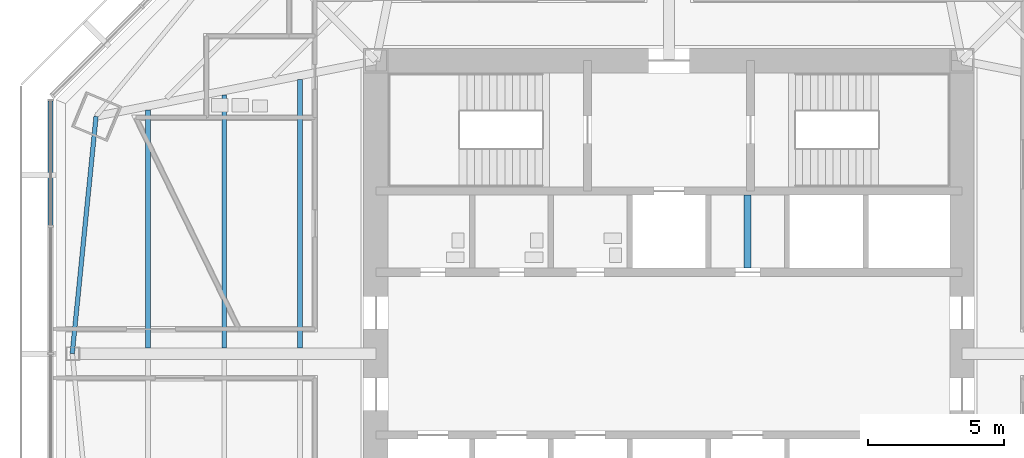
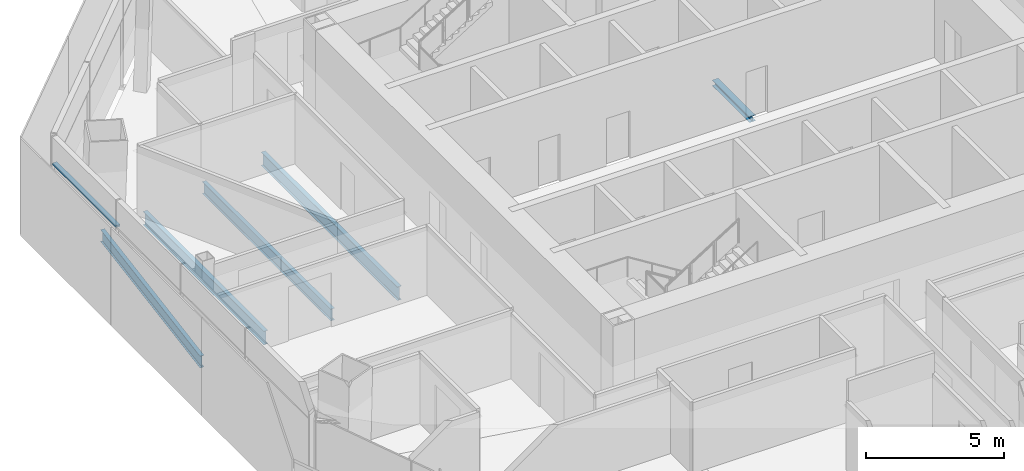
# One storey, part 3 of 15: 5 beams, 1 member, 1 element without a shape of its own.
"""IFC4 building model written with IfcOpenShell, lengths in metres."""

from ifc_helpers import new_model, si_unit, direction, frame, origin, origin_2d, place, context, subcontext, project, spatial, rectangle, i_section, extrude, source, transform, mapped, material, material_profile, profile_set, type_object, type_shapes, element, aggregate, save


model = new_model("IFC4")

# Units and contexts
model_context = context("Model", 3, precision=1e-05, world=origin(), true_north=direction((0.0, 1.0)))
body_context = subcontext(model_context, "Body", "Model", "MODEL_VIEW")
ifc_project = project(units=[si_unit("LENGTHUNIT", "METRE"), si_unit("AREAUNIT", "SQUARE_METRE"), si_unit("VOLUMEUNIT", "CUBIC_METRE"), si_unit("PLANEANGLEUNIT", "RADIAN"), si_unit("MASSUNIT", "GRAM", prefix="KILO")], contexts=[model_context])

# Site, building, storey
site_placement = place(None, origin())
site = spatial("IfcSite", under=ifc_project, at=site_placement, CompositionType="ELEMENT")
building_placement = place(site_placement, origin())
building = spatial("IfcBuilding", under=site, at=building_placement, Name="Mashrafa Tower", CompositionType="ELEMENT")
storey_placement = place(building_placement, frame((0.0, 0.0, 184.800048828125)))
storey = spatial("IfcBuildingStorey", under=building, at=storey_placement, Name="L42", CompositionType="ELEMENT", Elevation=184.800048828125)

# Beams
ifc_material_1 = material(Name="Steel ASTM A992", Category="steel")
ifc_material_profile_1 = material_profile(ifc_material_1, i_section(OverallWidth=0.1650390625, OverallDepth=0.52587890625, WebThickness=0.0087890625, FlangeThickness=0.011474609375, FilletRadius=0.0126953125, at=origin_2d()), Name="W21X44")
ifc_profile_set_1 = profile_set([ifc_material_profile_1], Name="Steel ASTM A992")
beam_type_1 = type_object("IfcBeamType", Name="Beam W21X44", PredefinedType="BEAM", material=ifc_profile_set_1)
beam_1_placement = place(storey_placement, frame((-16.39599609375, 0.20947265625, -0.427978515625), z_axis=(0.0, 1.0, 0.0), x_axis=(-1.0, 0.0, 0.0)))
element("IfcBeam", 1, at=beam_1_placement, inside=storey, type_object=beam_type_1, Name="Floor beam L42 005", PredefinedType="BEAM", context=body_context, shape_type="SweptSolid", body=[
    extrude(i_section(OverallWidth=0.1650390625, OverallDepth=0.52587890625, WebThickness=0.0087890625, FlangeThickness=0.011474609375, FilletRadius=0.0126953125, at=origin_2d()), origin(), (0.0, 0.0, 1.0), 9.326904296875),
])
beam_2_placement = place(storey_placement, frame((-21.11328125, 8.74560546875, -0.427978515625), z_axis=(-0.099938225951, -0.994993643695, 0.0), x_axis=(0.994993643695, -0.099938225951, 0.0)))
element("IfcBeam", 2, at=beam_2_placement, inside=storey, type_object=beam_type_1, Name="Spandrel beam L42 059", PredefinedType="BEAM", context=body_context, shape_type="SweptSolid", body=[
    extrude(i_section(OverallWidth=0.1650390625, OverallDepth=0.52587890625, WebThickness=0.0087890625, FlangeThickness=0.011474609375, FilletRadius=0.0126953125, at=origin_2d()), origin(), (0.0, 0.0, 1.0), 8.78955078125),
])
ifc_material_2 = material(Name="Steel ASTM A992", Category="steel")
ifc_material_profile_2 = material_profile(ifc_material_2, i_section(OverallWidth=0.177978515625, OverallDepth=0.599365234375, WebThickness=0.010009765625, FlangeThickness=0.012939453125, FilletRadius=0.012939453125, at=origin_2d()), Name="W24X55")
ifc_profile_set_2 = profile_set([ifc_material_profile_2], Name="Steel ASTM A992")
beam_type_2 = type_object("IfcBeamType", Name="Beam W24X55", PredefinedType="BEAM", material=ifc_profile_set_2)
beam_3_placement = place(storey_placement, frame((-19.19384765625, 0.20947265625, -0.46484375), z_axis=(0.0, 1.0, 0.0), x_axis=(-1.0, 0.0, 0.0)))
element("IfcBeam", 3, at=beam_3_placement, inside=storey, type_object=beam_type_2, Name="Floor beam L42 002", PredefinedType="BEAM", context=body_context, shape_type="SweptSolid", body=[
    extrude(i_section(OverallWidth=0.177978515625, OverallDepth=0.599365234375, WebThickness=0.010009765625, FlangeThickness=0.012939453125, FilletRadius=0.012939453125, at=origin_2d()), origin(), (0.0, 0.0, 1.0), 8.76953125),
])
beam_4_placement = place(storey_placement, frame((-13.597900390625, 0.20947265625, -0.46484375), z_axis=(0.0, 1.0, 0.0), x_axis=(-1.0, 0.0, 0.0)))
element("IfcBeam", 4, at=beam_4_placement, inside=storey, type_object=beam_type_2, Name="Floor beam L42 010", PredefinedType="BEAM", context=body_context, shape_type="SweptSolid", body=[
    extrude(i_section(OverallWidth=0.177978515625, OverallDepth=0.599365234375, WebThickness=0.010009765625, FlangeThickness=0.012939453125, FilletRadius=0.012939453125, at=origin_2d()), origin(), (0.0, 0.0, 1.0), 9.88427734375),
])
ifc_material_3 = material(Name="Steel ASTM A992", Category="steel")
ifc_material_profile_3 = material_profile(ifc_material_3, i_section(OverallWidth=0.25390625, OverallDepth=0.25390625, WebThickness=0.008544921875, FlangeThickness=0.01416015625, FilletRadius=0.010009765625, at=origin_2d()), Name="W10X49")
ifc_profile_set_3 = profile_set([ifc_material_profile_3], Name="Steel ASTM A992")
beam_type_3 = type_object("IfcBeamType", Name="Hoistway beam W10X49", PredefinedType="BEAM", material=ifc_profile_set_3)
beam_5_placement = place(storey_placement, frame((2.89990234375, 3.14990234375, -0.2919921875), z_axis=(0.0, 1.0, 0.0), x_axis=(-1.0, 0.0, 0.0)))
element("IfcBeam", 5, at=beam_5_placement, inside=storey, type_object=beam_type_3, Name="Hoistway beam L42 06", PredefinedType="BEAM", context=body_context, shape_type="SweptSolid", body=[
    extrude(i_section(OverallWidth=0.25390625, OverallDepth=0.25390625, WebThickness=0.008544921875, FlangeThickness=0.01416015625, FilletRadius=0.010009765625, at=origin_2d()), origin(), (0.0, 0.0, 1.0), 2.7001953125),
])

# Curtain wall, member
ifc_material_4 = material(Name="Unitised aluminium curtain wall", Category="aluminium")
curtain_wall_type = type_object("IfcCurtainWallType", Name="Office curtain wall, zone 2 CW-B 225 deep", PredefinedType="NOTDEFINED", material=ifc_material_4)
curtain_wall_placement = place(storey_placement, origin())
curtain_wall = element("IfcCurtainWall", 6, at=curtain_wall_placement, inside=storey, type_object=curtain_wall_type, Name="Office curtain wall, zone 2 L42 west", PredefinedType="NOTDEFINED")
ifc_material_5 = material(Name="Extruded aluminium transom", Category="aluminium")
ifc_material_profile_4 = material_profile(ifc_material_5, rectangle(XDim=0.179931640625, YDim=0.080078125, at=origin_2d()), Name="Transom 80x180")
ifc_profile_set_4 = profile_set([ifc_material_profile_4], Name="Extruded aluminium transom")
member_type = type_object("IfcMemberType", Name="Transom CW-B 80 x 180", PredefinedType="MULLION", material=ifc_profile_set_4)
shared_shape = source(origin(), body_context, "Body", "SweptSolid", [
    extrude(rectangle(XDim=0.179931640625, YDim=0.080078125, at=origin_2d()), origin(), (0.0, 0.0, 1.0), 4.593505859375),
])
type_shapes(member_type, [shared_shape])
member_placement = place(storey_placement, frame((-22.786865234375, 9.317138671875, 3.0), z_axis=(0.0, -1.0, 0.0), x_axis=(1.0, 0.0, 0.0)))
member = element("IfcMember", 7, at=member_placement, type_object=member_type, Name="CW-B transom 1", PredefinedType="MULLION", context=body_context, shape_type="MappedRepresentation", body=[
    mapped(shared_shape, transform((0.0, 0.0, 0.0))),
])
aggregate(curtain_wall, [member])

save(model, "model.ifc")
